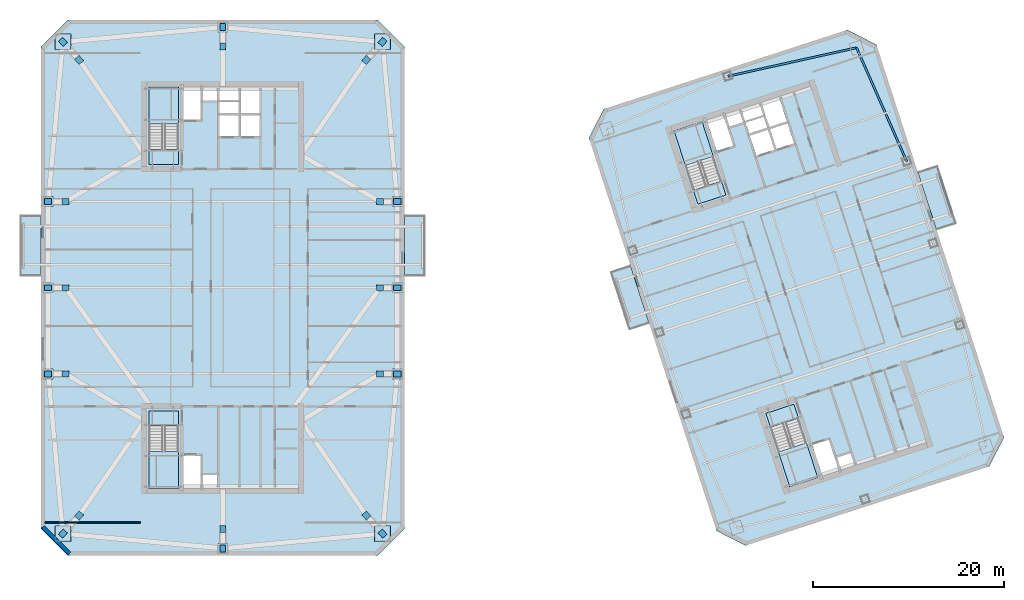
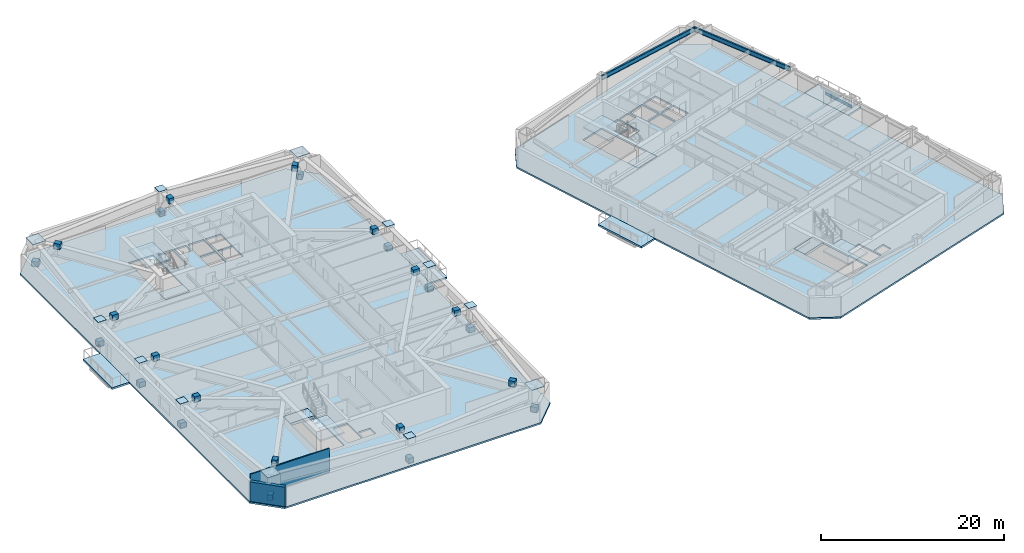
# One storey, part 5 of 17: 36 plates, 14 slabs, 3 beams, 2 walls, 4 elements without a shape of their own.
"""IFC4 building model written with IfcOpenShell, lengths in metres."""

import ifcopenshell
import ifcopenshell.guid

model = None  # the IFC model being written
_history = None  # IfcOwnerHistory: only IFC2X3 demands one
_inside = {}  # id of a spatial element -> (the spatial element, [elements in it])
_under = {}  # id of a project, library or spatial element -> (it, [spatial elements below it])
_declared = {}  # id of a project -> (the project, [libraries it declares])
_typed = {}  # id of a type object -> (the type object, [elements of that type])
_made_of = {}  # id of a material, layer set ... -> (it, [elements and type objects made of it])


def new_model(schema):
    """Start an empty IFC model of exactly this schema.

    Asked for "IFC4X3", IfcOpenShell would pick the latest addendum, in which some entities
    have other attributes; the version numbers below select the first issue.
    IFC2X3 requires an IfcOwnerHistory on every rooted entity: one is made here for all.
    """
    global model, _history
    if schema == "IFC4X3":
        model = ifcopenshell.file(schema_version=(4, 3, 0, 0))
    else:
        model = ifcopenshell.file(schema=schema)
    _inside.clear()
    _under.clear()
    _declared.clear()
    _typed.clear()
    _made_of.clear()
    _history = None
    if model.schema == "IFC2X3":
        org = make("IfcOrganization", Name="unknown")
        user = make(
            "IfcPersonAndOrganization",
            ThePerson=make("IfcPerson", FamilyName="unknown"),
            TheOrganization=org,
        )
        app = make(
            "IfcApplication",
            ApplicationDeveloper=org,
            Version="unknown",
            ApplicationFullName="unknown",
            ApplicationIdentifier="unknown",
        )
        _history = make(
            "IfcOwnerHistory",
            OwningUser=user,
            OwningApplication=app,
            ChangeAction="ADDED",
            CreationDate=0,
        )
    return model


def make(cls, **values):
    """One entity of the class cls with the attributes given. An attribute that is None is left unset."""
    return model.create_entity(
        cls, **{name: value for name, value in values.items() if value is not None}
    )


def rooted(cls, **values):
    """An entity with a GlobalId (a new one), such as an element, a storey or a relation."""
    return make(cls, GlobalId=ifcopenshell.guid.new(), OwnerHistory=_history, **values)


def si_unit(unit_type, name, prefix=None):
    """IfcSIUnit, for example si_unit("LENGTHUNIT", "METRE", prefix="MILLI")."""
    return make("IfcSIUnit", UnitType=unit_type, Prefix=prefix, Name=name)


def assignment(units):
    """IfcUnitAssignment: the units of a project."""
    return None if units is None else make("IfcUnitAssignment", Units=units)


def point(xyz):
    """IfcCartesianPoint."""
    return None if xyz is None else make("IfcCartesianPoint", Coordinates=xyz)


def direction(xyz):
    """IfcDirection."""
    return None if xyz is None else make("IfcDirection", DirectionRatios=xyz)


def frame(location, z_axis=None, x_axis=None):
    """IfcAxis2Placement3D, a coordinate frame: its origin and axes. An axis left out is left unset."""
    return make(
        "IfcAxis2Placement3D",
        Location=point(location),
        Axis=direction(z_axis),
        RefDirection=direction(x_axis),
    )


def frame_2d(location, x_axis=None):
    """IfcAxis2Placement2D, a coordinate frame in the plane: its origin and x axis."""
    return make(
        "IfcAxis2Placement2D", Location=point(location), RefDirection=direction(x_axis)
    )


def origin():
    """The frame at (0, 0, 0) with its axes left unset."""
    return frame((0.0, 0.0, 0.0))


def origin_2d():
    """The frame at (0, 0) in the plane with its x axis left unset."""
    return frame_2d((0.0, 0.0))


def place(relative_to, where):
    """IfcLocalPlacement: puts the frame where relative to a parent placement (None: the world)."""
    return make(
        "IfcLocalPlacement", PlacementRelTo=relative_to, RelativePlacement=where
    )


def context(
    kind, dimensions, precision=None, world=None, true_north=None, identifier=None
):
    """IfcGeometricRepresentationContext, for example the 3D "Model" context."""
    return make(
        "IfcGeometricRepresentationContext",
        ContextIdentifier=identifier,
        ContextType=kind,
        CoordinateSpaceDimension=dimensions,
        Precision=precision,
        WorldCoordinateSystem=world,
        TrueNorth=true_north,
    )


def subcontext(parent, identifier, kind, view, scale=None):
    """IfcGeometricRepresentationSubContext, for example "Body" below "Model"."""
    return make(
        "IfcGeometricRepresentationSubContext",
        ContextIdentifier=identifier,
        ContextType=kind,
        ParentContext=parent,
        TargetScale=scale,
        TargetView=view,
    )


def project(units=None, contexts=None):
    """IfcProject with its units and contexts."""
    return rooted(
        "IfcProject",
        Name="project",
        RepresentationContexts=contexts,
        UnitsInContext=assignment(units),
    )


def spatial(cls, under=None, at=None, **own):
    """A site, building, storey or space (cls), placed at a placement, below another one or the project."""
    s = rooted(cls, ObjectPlacement=at, **own)
    if under is not None:
        _under.setdefault(under.id(), (under, []))[1].append(s)
    return s


def polyline(points):
    """IfcPolyline through the points."""
    return make("IfcPolyline", Points=[point(p) for p in points])


def profile(cls, at=None, kind="AREA", **sizes):
    """A parametric profile (cls). Its sizes go by their IFC names, for example OverallWidth=200.0."""
    return make(cls, ProfileType=kind, Position=at, **sizes)


def rectangle(**sizes):
    """IfcRectangleProfileDef."""
    return profile("IfcRectangleProfileDef", **sizes)


def i_section(**sizes):
    """IfcIShapeProfileDef."""
    return profile("IfcIShapeProfileDef", **sizes)


def outline(outer, holes=None, kind="AREA"):
    """IfcArbitraryClosedProfileDef: a profile drawn as a closed curve; with holes, ...WithVoids."""
    if holes is None:
        return make("IfcArbitraryClosedProfileDef", ProfileType=kind, OuterCurve=outer)
    return make(
        "IfcArbitraryProfileDefWithVoids",
        ProfileType=kind,
        OuterCurve=outer,
        InnerCurves=holes,
    )


def extrude(swept, where, along, depth):
    """IfcExtrudedAreaSolid: the profile swept, set in the frame where, extruded along a direction by depth."""
    return make(
        "IfcExtrudedAreaSolid",
        SweptArea=swept,
        Position=where,
        ExtrudedDirection=direction(along),
        Depth=depth,
    )


def shape(context_of_items, identifier, shape_type, items):
    """IfcShapeRepresentation: the items that make up one representation, for example the "Body"."""
    return make(
        "IfcShapeRepresentation",
        ContextOfItems=context_of_items,
        RepresentationIdentifier=identifier,
        RepresentationType=shape_type,
        Items=items,
    )


def material(Name=None, Category=None):
    """IfcMaterial."""
    return make("IfcMaterial", Name=Name, Category=Category)


def layer(
    of_material, thickness, ventilated=None, Name=None, Category=None, Priority=None
):
    """IfcMaterialLayer: one layer of a wall or slab, of a material (None: an air gap)."""
    return make(
        "IfcMaterialLayer",
        Material=of_material,
        LayerThickness=thickness,
        IsVentilated=ventilated,
        Name=Name,
        Category=Category,
        Priority=Priority,
    )


def layer_set(layers, Name=None):
    """IfcMaterialLayerSet."""
    return make("IfcMaterialLayerSet", MaterialLayers=layers, LayerSetName=Name)


def material_profile(
    of_material, cross_section, Name=None, Category=None, Priority=None
):
    """IfcMaterialProfile: a cross section and its material."""
    return make(
        "IfcMaterialProfile",
        Name=Name,
        Material=of_material,
        Profile=cross_section,
        Priority=Priority,
        Category=Category,
    )


def profile_set(profiles, Name=None, composite=None):
    """IfcMaterialProfileSet."""
    return make(
        "IfcMaterialProfileSet",
        Name=Name,
        MaterialProfiles=profiles,
        CompositeProfile=composite,
    )


def made_of(thing, what):
    """Note that an element or type object is made of a material, layer set ...; save() writes the relation."""
    if what is not None:
        _made_of.setdefault(what.id(), (what, []))[1].append(thing)
    return thing


def type_object(cls, material=None, **own):
    """A type object (cls), such as IfcWallType, which elements share."""
    return made_of(rooted(cls, **own), material)


def element(
    cls,
    number,
    at=None,
    inside=None,
    cuts=None,
    type_object=None,
    material=None,
    context=None,
    identifier="Body",
    shape_type=None,
    held_by="IfcProductDefinitionShape",
    body=None,
    shapes=None,
    **own,
):
    """One element of the class cls, such as IfcWall. Its Tag is "e" and its number.

    at: its placement. inside: the storey or other place that contains it. cuts: it is an
    opening in that element (IfcRelVoidsElement). A single representation is given by context,
    identifier, shape_type and body (its items); several are given by shapes. held_by: the class
    of the entity that holds the representations. save() writes the other relations.
    """
    e = rooted(cls, Tag="e%d" % number, ObjectPlacement=at, **own)
    if body is not None:
        shapes = [shape(context, identifier, shape_type, body)]
    if shapes is not None:
        e.Representation = make(held_by, Representations=shapes)
    if inside is not None:
        _inside.setdefault(inside.id(), (inside, []))[1].append(e)
    if cuts is not None:
        rooted(
            "IfcRelVoidsElement", RelatingBuildingElement=cuts, RelatedOpeningElement=e
        )
    if type_object is not None:
        _typed.setdefault(type_object.id(), (type_object, []))[1].append(e)
    return made_of(e, material)


def aggregate(whole, parts):
    """IfcRelAggregates: a whole, such as a stair, and the parts it consists of."""
    return rooted("IfcRelAggregates", RelatingObject=whole, RelatedObjects=parts)


def save(model, path):
    """Write the relations noted so far, then the file.

    IfcRelAggregates (storeys below a building ...), IfcRelContainedInSpatialStructure (elements
    in a storey), IfcRelDefinesByType, IfcRelAssociatesMaterial and IfcRelDeclares: one each for
    every whole, place, type object, material and project.
    """
    for whole, parts in _under.values():
        aggregate(whole, parts)
    for where, things in _inside.values():
        rooted(
            "IfcRelContainedInSpatialStructure",
            RelatedElements=things,
            RelatingStructure=where,
        )
    for kind, things in _typed.values():
        rooted("IfcRelDefinesByType", RelatedObjects=things, RelatingType=kind)
    for what, things in _made_of.values():
        rooted("IfcRelAssociatesMaterial", RelatedObjects=things, RelatingMaterial=what)
    for by, libraries in _declared.values():
        rooted("IfcRelDeclares", RelatingContext=by, RelatedDefinitions=libraries)
    model.write(path)


model = new_model("IFC4")

# Units and contexts
model_context = context("Model", 3, precision=1e-05, world=origin(), true_north=direction((0.0, 1.0)))
body_context = subcontext(model_context, "Body", "Model", "MODEL_VIEW")
ifc_project = project(units=[si_unit("LENGTHUNIT", "METRE"), si_unit("AREAUNIT", "SQUARE_METRE"), si_unit("VOLUMEUNIT", "CUBIC_METRE"), si_unit("PLANEANGLEUNIT", "RADIAN"), si_unit("MASSUNIT", "GRAM", prefix="KILO")], contexts=[model_context])

# Site, building, storey
site_placement = place(None, origin())
site = spatial("IfcSite", under=ifc_project, at=site_placement, CompositionType="ELEMENT")
building_placement = place(site_placement, origin())
building = spatial("IfcBuilding", under=site, at=building_placement, Name="Qiaolan Cultural Towers", CompositionType="ELEMENT")
storey_placement = place(building_placement, frame((0.0, 0.0, 156.39990234375)))
storey = spatial("IfcBuildingStorey", under=building, at=storey_placement, Name="L41", CompositionType="ELEMENT", Elevation=156.39990234375)

# Beams
ifc_material_1 = material(Name="Steel Q355B", Category="steel")
ifc_material_profile_1 = material_profile(ifc_material_1, i_section(OverallWidth=0.175048828125, OverallDepth=0.35009765625, WebThickness=0.007080078125, FlangeThickness=0.010986328125, at=origin_2d()), Name="HN350x175x7x11")
ifc_profile_set_1 = profile_set([ifc_material_profile_1], Name="Steel Q355B")
beam_type_1 = type_object("IfcBeamType", Name="BM-JST-HN350x175x7x11", PredefinedType="JOIST", material=ifc_profile_set_1)
beam_1_placement = place(storey_placement, frame((106.234619140625, 41.798583984375, -0.52392578125), z_axis=(-0.309022586479, 0.951054699292, 0.0), x_axis=(-0.951054699292, -0.309022586479, 0.0)))
element("IfcBeam", 1, at=beam_1_placement, inside=storey, type_object=beam_type_1, Name="L41 T2 Tree Balcony Outer Edge Beam", PredefinedType="JOIST", context=body_context, shape_type="SweptSolid", body=[
    extrude(i_section(OverallWidth=0.175048828125, OverallDepth=0.35009765625, WebThickness=0.007080078125, FlangeThickness=0.010986328125, at=origin_2d()), origin(), (0.0, 0.0, 1.0), 4.0),
])
ifc_material_2 = material(Name="Steel Q355B", Category="steel")
ifc_material_profile_2 = material_profile(ifc_material_2, i_section(OverallWidth=0.199951171875, OverallDepth=0.60009765625, WebThickness=0.010986328125, FlangeThickness=0.01708984375, at=origin_2d()), Name="HN600x200x11x17")
ifc_profile_set_2 = profile_set([ifc_material_profile_2], Name="Steel Q355B")
beam_type_2 = type_object("IfcBeamType", Name="BM-SPD-HN600x200x11x17", PredefinedType="SPANDREL", material=ifc_profile_set_2)
beam_2_placement = place(storey_placement, frame((101.5322265625, 47.210205078125, 2.89013671875), z_axis=(-0.404011070002, 0.914754095545, 0.0), x_axis=(-0.914754095545, -0.404011070002, 0.0)))
element("IfcBeam", 2, at=beam_2_placement, inside=storey, type_object=beam_type_2, Name="L41 T2 Perimeter Spandrel Beam 6", PredefinedType="SPANDREL", context=body_context, shape_type="SweptSolid", body=[
    extrude(i_section(OverallWidth=0.199951171875, OverallDepth=0.60009765625, WebThickness=0.010986328125, FlangeThickness=0.01708984375, at=origin_2d()), origin(), (0.0, 0.0, 1.0), 12.9970703125),
])
beam_3_placement = place(storey_placement, frame((96.28125, 59.099365234375, 2.89013671875), z_axis=(-0.976265293399, -0.216578108094, 0.0), x_axis=(0.216578108094, -0.976265293399, 0.0)))
element("IfcBeam", 3, at=beam_3_placement, inside=storey, type_object=beam_type_2, Name="L41 T2 Perimeter Spandrel Beam 7", PredefinedType="SPANDREL", context=body_context, shape_type="SweptSolid", body=[
    extrude(i_section(OverallWidth=0.199951171875, OverallDepth=0.60009765625, WebThickness=0.010986328125, FlangeThickness=0.01708984375, at=origin_2d()), origin(), (0.0, 0.0, 1.0), 13.793212890625),
])

# Plates
ifc_material_3 = material(Name="Steel Q355B", Category="steel")
ifc_layer_1 = layer(ifc_material_3, 0.035888671875)
ifc_layer_set_1 = layer_set([ifc_layer_1], Name="Steel Q355B")
plate_type_1 = type_object("IfcPlateType", Name="PL-CONN-36", PredefinedType="USERDEFINED", material=ifc_layer_set_1)
for number, where, z_axis, x_axis, name in (
    (4, (13.2900390625, 8.2900390625, -0.06982421875), (0.0, 0.0, 1.0), (0.666564242532, 0.745447590765, 0.0), "L41 Brace End Connection Gusset Plate GP-02-0124"),
    (5, (14.97998046875, 10.179931640625, 2.85986328125), (0.0, 0.0, 1.0), (0.666564242532, 0.745447590765, 0.0), "L41 Brace End Connection Gusset Plate GP-02-0125"),
    (6, (46.7099609375, 8.2900390625, -0.06982421875), (0.0, 0.0, 1.0), (-0.666564242532, 0.745447590765, 0.0), "L41 Brace End Connection Gusset Plate GP-02-0126"),
    (7, (45.02001953125, 10.179931640625, 2.85986328125), (0.0, 0.0, 1.0), (-0.666564242532, 0.745447590765, 0.0), "L41 Brace End Connection Gusset Plate GP-02-0127"),
    (8, (46.7099609375, 59.7099609375, -0.06982421875), (0.0, 0.0, 1.0), (0.666564242532, 0.745447590765, 0.0), "L41 Brace End Connection Gusset Plate GP-02-0128"),
    (9, (45.02001953125, 57.820068359375, 2.85986328125), (0.0, 0.0, 1.0), (0.666564242532, 0.745447590765, 0.0), "L41 Brace End Connection Gusset Plate GP-02-0129"),
    (10, (13.2900390625, 59.7099609375, -0.06982421875), (0.0, 0.0, 1.0), (-0.666564242532, 0.745447590765, 0.0), "L41 Brace End Connection Gusset Plate GP-02-0130"),
    (11, (14.97998046875, 57.820068359375, 2.85986328125), (0.0, 0.0, 1.0), (-0.666564242532, 0.745447590765, 0.0), "L41 Brace End Connection Gusset Plate GP-02-0131"),
    (12, (11.75, 25.0, -0.06982421875), (0.0, 0.0, 1.0), (1.0, 0.0, 0.0), "L41 Brace End Connection Gusset Plate GP-02-0132"),
    (13, (13.550048828125, 25.0, 2.85986328125), (0.0, 0.0, 1.0), (1.0, 0.0, 0.0), "L41 Brace End Connection Gusset Plate GP-02-0133"),
    (14, (11.75, 34.0, -0.06982421875), (0.0, 0.0, 1.0), (1.0, 0.0, 0.0), "L41 Brace End Connection Gusset Plate GP-02-0134"),
    (15, (13.550048828125, 34.0, 2.85986328125), (0.0, 0.0, 1.0), (1.0, 0.0, 0.0), "L41 Brace End Connection Gusset Plate GP-02-0135"),
    (16, (11.75, 43.0, -0.06982421875), (0.0, 0.0, 1.0), (1.0, 0.0, 0.0), "L41 Brace End Connection Gusset Plate GP-02-0136"),
    (17, (13.550048828125, 43.0, 2.85986328125), (0.0, 0.0, 1.0), (1.0, 0.0, 0.0), "L41 Brace End Connection Gusset Plate GP-02-0137"),
    (18, (48.25, 25.0, -0.06982421875), (0.0, 0.0, 1.0), (1.0, 0.0, 0.0), "L41 Brace End Connection Gusset Plate GP-02-0138"),
    (19, (46.449951171875, 25.0, 2.85986328125), (0.0, 0.0, 1.0), (1.0, 0.0, 0.0), "L41 Brace End Connection Gusset Plate GP-02-0139"),
    (20, (48.25, 34.0, -0.06982421875), (0.0, 0.0, 1.0), (1.0, 0.0, 0.0), "L41 Brace End Connection Gusset Plate GP-02-0140"),
    (21, (46.449951171875, 34.0, 2.85986328125), (0.0, 0.0, 1.0), (1.0, 0.0, 0.0), "L41 Brace End Connection Gusset Plate GP-02-0141"),
    (22, (48.25, 43.0, -0.06982421875), (0.0, 0.0, 1.0), (1.0, 0.0, 0.0), "L41 Brace End Connection Gusset Plate GP-02-0142"),
    (23, (46.449951171875, 43.0, 2.85986328125), (0.0, 0.0, 1.0), (1.0, 0.0, 0.0), "L41 Brace End Connection Gusset Plate GP-02-0143"),
    (24, (30.0, 6.75, -0.06982421875), (0.0, 0.0, 1.0), (0.0, 1.0, 0.0), "L41 Brace End Connection Gusset Plate GP-02-0144"),
    (25, (30.0, 8.75, 2.85986328125), (0.0, 0.0, 1.0), (0.0, 1.0, 0.0), "L41 Brace End Connection Gusset Plate GP-02-0145"),
    (26, (30.0, 61.25, -0.06982421875), (0.0, 0.0, 1.0), (0.0, 1.0, 0.0), "L41 Brace End Connection Gusset Plate GP-02-0146"),
    (27, (30.0, 59.25, 2.85986328125), (0.0, 0.0, 1.0), (0.0, 1.0, 0.0), "L41 Brace End Connection Gusset Plate GP-02-0147"),
):
    element("IfcPlate", number, at=place(storey_placement, frame(where, z_axis=z_axis, x_axis=x_axis)), inside=storey, type_object=plate_type_1, Name=name, ObjectType="GUSSET_PLATE", PredefinedType="USERDEFINED", context=body_context, shape_type="SweptSolid", body=[
        extrude(rectangle(XDim=0.739990234375, YDim=0.6201171875, at=origin_2d()), origin(), (0.0, 0.0, 1.0), 0.739990234375),
    ])
ifc_material_4 = material(Name="Steel Q355B", Category="steel")
ifc_layer_2 = layer(ifc_material_4, 0.030029296875)
ifc_layer_set_2 = layer_set([ifc_layer_2], Name="Steel Q355B")
plate_type_2 = type_object("IfcPlateType", Name="PL-ENDCAP-30", PredefinedType="USERDEFINED", material=ifc_layer_set_2)
for number, where, z_axis, x_axis, name in (
    (28, (13.2900390625, 8.2900390625, 3.451171875), (0.0, 0.0, 1.0), (1.0, 0.0, 0.0), "Tower Box Column Transition Seal Cap Plate CP-01"),
    (29, (46.7099609375, 8.2900390625, 3.451171875), (0.0, 0.0, 1.0), (1.0, 0.0, 0.0), "Tower Box Column Transition Seal Cap Plate CP-01"),
    (30, (46.7099609375, 59.7099609375, 3.451171875), (0.0, 0.0, 1.0), (1.0, 0.0, 0.0), "Tower Box Column Transition Seal Cap Plate CP-01"),
    (31, (13.2900390625, 59.7099609375, 3.451171875), (0.0, 0.0, 1.0), (1.0, 0.0, 0.0), "Tower Box Column Transition Seal Cap Plate CP-01"),
):
    element("IfcPlate", number, at=place(storey_placement, frame(where, z_axis=z_axis, x_axis=x_axis)), inside=storey, type_object=plate_type_2, Name=name, ObjectType="BASE_PLATE", PredefinedType="USERDEFINED", context=body_context, shape_type="SweptSolid", body=[
        extrude(rectangle(XDim=1.639892578125, YDim=1.639892578125, at=origin_2d()), origin(), (0.0, 0.0, 1.0), 0.030029296875),
    ])
for number, where, z_axis, x_axis, name in (
    (32, (11.75, 25.0, 3.451171875), (0.0, 0.0, 1.0), (1.0, 0.0, 0.0), "Tower Box Column Transition Seal Cap Plate CP-01"),
    (33, (11.75, 34.0, 3.451171875), (0.0, 0.0, 1.0), (1.0, 0.0, 0.0), "Tower Box Column Transition Seal Cap Plate CP-01"),
    (34, (11.75, 43.0, 3.451171875), (0.0, 0.0, 1.0), (1.0, 0.0, 0.0), "Tower Box Column Transition Seal Cap Plate CP-01"),
    (35, (48.25, 25.0, 3.451171875), (0.0, 0.0, 1.0), (1.0, 0.0, 0.0), "Tower Box Column Transition Seal Cap Plate CP-01"),
    (36, (48.25, 34.0, 3.451171875), (0.0, 0.0, 1.0), (1.0, 0.0, 0.0), "Tower Box Column Transition Seal Cap Plate CP-01"),
    (37, (48.25, 43.0, 3.451171875), (0.0, 0.0, 1.0), (1.0, 0.0, 0.0), "Tower Box Column Transition Seal Cap Plate CP-01"),
    (38, (30.0, 6.75, 3.451171875), (0.0, 0.0, 1.0), (1.0, 0.0, 0.0), "Tower Box Column Transition Seal Cap Plate CP-01"),
    (39, (30.0, 61.25, 3.451171875), (0.0, 0.0, 1.0), (1.0, 0.0, 0.0), "Tower Box Column Transition Seal Cap Plate CP-01"),
):
    element("IfcPlate", number, at=place(storey_placement, frame(where, z_axis=z_axis, x_axis=x_axis)), inside=storey, type_object=plate_type_2, Name=name, ObjectType="BASE_PLATE", PredefinedType="USERDEFINED", context=body_context, shape_type="SweptSolid", body=[
        extrude(rectangle(XDim=1.0400390625, YDim=1.0400390625, at=origin_2d()), origin(), (0.0, 0.0, 1.0), 0.030029296875),
    ])

# Slabs
ifc_material_5 = material(Name="Concrete C45", Category="concrete")
ifc_layer_3 = layer(ifc_material_5, 0.239990234375)
ifc_layer_set_3 = layer_set([ifc_layer_3], Name="Concrete C45")
slab_type_1 = type_object("IfcSlabType", Name="SL-BAL-240", PredefinedType="FLOOR", material=ifc_layer_set_3)
slab_1_placement = place(storey_placement, frame((0.0, 0.0, -0.239990234375)))
element("IfcSlab", 40, at=slab_1_placement, inside=storey, type_object=slab_type_1, Name="L41 T1 Planted Tree Balcony W", PredefinedType="FLOOR", context=body_context, shape_type="SweptSolid", body=[
    extrude(outline(polyline([(8.800048828125, 35.199951171875), (11.0, 35.199951171875), (11.0, 41.60009765625), (8.800048828125, 41.60009765625), (8.800048828125, 35.199951171875)])), origin(), (0.0, 0.0, 1.0), 0.239990234375),
])
slab_2_placement = place(storey_placement, frame((0.0, 0.0, -0.239990234375)))
element("IfcSlab", 41, at=slab_2_placement, inside=storey, type_object=slab_type_1, Name="L41 T1 Planted Tree Balcony E", PredefinedType="FLOOR", context=body_context, shape_type="SweptSolid", body=[
    extrude(outline(polyline([(49.0, 35.199951171875), (51.199951171875, 35.199951171875), (51.199951171875, 41.60009765625), (49.0, 41.60009765625), (49.0, 35.199951171875)])), origin(), (0.0, 0.0, 1.0), 0.239990234375),
])
slab_3_placement = place(storey_placement, frame((0.0, 0.0, -0.239990234375)))
element("IfcSlab", 42, at=slab_3_placement, inside=storey, type_object=slab_type_1, Name="L41 T2 Planted Tree Balcony W", PredefinedType="FLOOR", context=body_context, shape_type="SweptSolid", body=[
    extrude(outline(polyline([(72.51025390625, 29.578857421875), (74.6025390625, 30.2587890625), (72.624755859375, 36.345458984375), (70.532470703125, 35.665771484375), (72.51025390625, 29.578857421875)])), origin(), (0.0, 0.0, 1.0), 0.239990234375),
])
slab_4_placement = place(storey_placement, frame((0.0, 0.0, -0.239990234375)))
element("IfcSlab", 43, at=slab_4_placement, inside=storey, type_object=slab_type_1, Name="L41 T2 Planted Tree Balcony E", PredefinedType="FLOOR", context=body_context, shape_type="SweptSolid", body=[
    extrude(outline(polyline([(104.65576171875, 40.023681640625), (106.748291015625, 40.70361328125), (104.7705078125, 46.790283203125), (102.67822265625, 46.110595703125), (104.65576171875, 40.023681640625)])), origin(), (0.0, 0.0, 1.0), 0.239990234375),
])

# Stair, slab
ifc_material_6 = material(Name="Concrete C45", Category="concrete")
stair_type = type_object("IfcStairType", Name="STR-CORE-1500", PredefinedType="HALF_TURN_STAIR", material=ifc_material_6)
stair_1_placement = place(storey_placement, origin())
stair_1 = element("IfcStair", 44, at=stair_1_placement, inside=storey, type_object=stair_type, Name="L41 Smokeproof Exit Stair ST-W1", PredefinedType="HALF_TURN_STAIR")
ifc_material_7 = material(Name="Concrete C45", Category="concrete")
ifc_layer_4 = layer(ifc_material_7, 0.199951171875)
ifc_layer_set_4 = layer_set([ifc_layer_4], Name="Concrete C45")
slab_type_2 = type_object("IfcSlabType", Name="SL-STAIR-LAND", PredefinedType="LANDING", material=ifc_layer_set_4)
slab_5_placement = place(storey_placement, frame((0.0, 0.0, 1.525146484375)))
slab_5 = element("IfcSlab", 45, at=slab_5_placement, type_object=slab_type_2, Name="ST-W1 landing 1", PredefinedType="LANDING", context=body_context, shape_type="SweptSolid", body=[
    extrude(outline(polyline([(22.300048828125, 16.851318359375), (22.300048828125, 13.0), (25.3798828125, 13.0), (25.3798828125, 16.851318359375), (22.300048828125, 16.851318359375)])), origin(), (0.0, 0.0, 1.0), 0.199951171875),
])
aggregate(stair_1, [slab_5])

stair_2_placement = place(storey_placement, origin())
stair_2 = element("IfcStair", 46, at=stair_2_placement, inside=storey, type_object=stair_type, Name="L41 Smokeproof Exit Stair ST-W2", PredefinedType="HALF_TURN_STAIR")
slab_6_placement = place(storey_placement, frame((0.0, 0.0, 1.525146484375)))
slab_6 = element("IfcSlab", 47, at=slab_6_placement, type_object=slab_type_2, Name="ST-W2 landing 1", PredefinedType="LANDING", context=body_context, shape_type="SweptSolid", body=[
    extrude(outline(polyline([(25.3798828125, 51.148681640625), (25.3798828125, 55.0), (22.300048828125, 55.0), (22.300048828125, 51.148681640625), (25.3798828125, 51.148681640625)])), origin(), (0.0, 0.0, 1.0), 0.199951171875),
])
aggregate(stair_2, [slab_6])

stair_3_placement = place(storey_placement, origin())
stair_3 = element("IfcStair", 48, at=stair_3_placement, inside=storey, type_object=stair_type, Name="L41 Smokeproof Exit Stair ST-E1", PredefinedType="HALF_TURN_STAIR")
slab_7_placement = place(storey_placement, frame((0.0, 0.0, 1.525146484375)))
slab_7 = element("IfcSlab", 49, at=slab_7_placement, type_object=slab_type_2, Name="ST-E1 landing 1", PredefinedType="LANDING", context=body_context, shape_type="SweptSolid", body=[
    extrude(outline(polyline([(88.114013671875, 16.828125), (89.30419921875, 13.165283203125), (92.2333984375, 14.116943359375), (91.04345703125, 17.77978515625), (88.114013671875, 16.828125)])), origin(), (0.0, 0.0, 1.0), 0.199951171875),
])
aggregate(stair_3, [slab_7])

stair_4_placement = place(storey_placement, origin())
stair_4 = element("IfcStair", 50, at=stair_4_placement, inside=storey, type_object=stair_type, Name="L41 Smokeproof Exit Stair ST-E2", PredefinedType="HALF_TURN_STAIR")
slab_8_placement = place(storey_placement, frame((0.0, 0.0, 1.525146484375)))
slab_8 = element("IfcSlab", 51, at=slab_8_placement, type_object=slab_type_2, Name="ST-E2 landing 1", PredefinedType="LANDING", context=body_context, shape_type="SweptSolid", body=[
    extrude(outline(polyline([(81.31005859375, 47.735595703125), (80.1201171875, 51.3984375), (77.190673828125, 50.44677734375), (78.380859375, 46.783935546875), (81.31005859375, 47.735595703125)])), origin(), (0.0, 0.0, 1.0), 0.199951171875),
])
aggregate(stair_4, [slab_8])

# Slabs
ifc_material_8 = material(Name="Concrete C40", Category="concrete")
ifc_layer_5 = layer(ifc_material_8, 0.360107421875)
ifc_layer_set_5 = layer_set([ifc_layer_5], Name="Concrete C40")
slab_type_3 = type_object("IfcSlabType", Name="SL-STFLR-360", PredefinedType="LANDING", material=ifc_layer_set_5)
slab_9_placement = place(storey_placement, frame((0.0, 0.0, -0.35986328125)))
element("IfcSlab", 52, at=slab_9_placement, inside=storey, type_object=slab_type_3, Name="L41 ST-W1 Stair Floor Landing Slab", PredefinedType="LANDING", context=body_context, shape_type="SweptSolid", body=[
    extrude(outline(polyline([(22.302001953125, 21.097900390625), (22.302001953125, 19.548583984375), (25.3779296875, 19.548583984375), (25.3779296875, 21.097900390625), (22.302001953125, 21.097900390625)])), origin(), (0.0, 0.0, 1.0), 0.35986328125),
])
slab_10_placement = place(storey_placement, frame((0.0, 0.0, -0.35986328125)))
element("IfcSlab", 53, at=slab_10_placement, inside=storey, type_object=slab_type_3, Name="L41 ST-W2 Stair Floor Landing Slab", PredefinedType="LANDING", context=body_context, shape_type="SweptSolid", body=[
    extrude(outline(polyline([(25.3779296875, 46.902099609375), (25.3779296875, 48.451416015625), (22.302001953125, 48.451416015625), (22.302001953125, 46.902099609375), (25.3779296875, 46.902099609375)])), origin(), (0.0, 0.0, 1.0), 0.35986328125),
])
slab_11_placement = place(storey_placement, frame((0.0, 0.0, -0.35986328125)))
element("IfcSlab", 54, at=slab_11_placement, inside=storey, type_object=slab_type_3, Name="L41 ST-E1 Stair Floor Landing Slab", PredefinedType="LANDING", context=body_context, shape_type="SweptSolid", body=[
    extrude(outline(polyline([(86.8037109375, 20.867431640625), (87.282470703125, 19.39404296875), (90.2080078125, 20.3447265625), (89.729248046875, 21.818115234375), (86.8037109375, 20.867431640625)])), origin(), (0.0, 0.0, 1.0), 0.35986328125),
])
slab_12_placement = place(storey_placement, frame((0.0, 0.0, -0.35986328125)))
element("IfcSlab", 55, at=slab_12_placement, inside=storey, type_object=slab_type_3, Name="L41 ST-E2 Stair Floor Landing Slab", PredefinedType="LANDING", context=body_context, shape_type="SweptSolid", body=[
    extrude(outline(polyline([(82.62060546875, 43.6962890625), (82.141845703125, 45.169677734375), (79.21630859375, 44.21923828125), (79.695068359375, 42.74560546875), (82.62060546875, 43.6962890625)])), origin(), (0.0, 0.0, 1.0), 0.35986328125),
])
ifc_material_9 = material(Name="Concrete C45", Category="concrete")
ifc_layer_6 = layer(ifc_material_9, 0.219970703125)
ifc_layer_set_6 = layer_set([ifc_layer_6], Name="Concrete C45")
slab_type_4 = type_object("IfcSlabType", Name="SL-TYP-220", PredefinedType="FLOOR", material=ifc_layer_set_6)
slab_13_placement = place(storey_placement, frame((0.0, 0.0, -0.219970703125)))
element("IfcSlab", 56, at=slab_13_placement, inside=storey, type_object=slab_type_4, Name="L41 West Tower Floor Slab", PredefinedType="FLOOR", context=body_context, shape_type="SweptSolid", body=[
    extrude(outline(polyline([(13.800048828125, 6.0), (46.199951171875, 6.0), (49.0, 8.800048828125), (49.0, 59.199951171875), (46.199951171875, 62.0), (13.800048828125, 62.0), (11.0, 59.199951171875), (11.0, 8.800048828125), (13.800048828125, 6.0)]), holes=[polyline([(22.300048828125, 21.10009765625), (22.300048828125, 13.0), (25.3798828125, 13.0), (25.3798828125, 21.10009765625), (22.300048828125, 21.10009765625)]), polyline([(25.3798828125, 46.89990234375), (25.3798828125, 55.0), (22.300048828125, 55.0), (22.300048828125, 46.89990234375), (25.3798828125, 46.89990234375)]), polyline([(25.89990234375, 13.199951171875), (27.75, 13.199951171875), (27.75, 16.449951171875), (25.89990234375, 16.449951171875), (25.89990234375, 13.199951171875)]), polyline([(27.93994140625, 13.25), (29.449951171875, 13.25), (29.449951171875, 14.419921875), (27.93994140625, 14.419921875), (27.93994140625, 13.25)]), polyline([(25.89990234375, 51.550048828125), (27.75, 51.550048828125), (27.75, 54.800048828125), (25.89990234375, 54.800048828125), (25.89990234375, 51.550048828125)]), polyline([(27.93994140625, 53.580078125), (29.449951171875, 53.580078125), (29.449951171875, 54.75), (27.93994140625, 54.75), (27.93994140625, 53.580078125)]), polyline([(29.679931640625, 49.820068359375), (31.679931640625, 49.820068359375), (31.679931640625, 52.080078125), (29.679931640625, 52.080078125), (29.679931640625, 49.820068359375)]), polyline([(31.8798828125, 49.820068359375), (33.820068359375, 49.820068359375), (33.820068359375, 52.080078125), (31.8798828125, 52.080078125), (31.8798828125, 49.820068359375)]), polyline([(29.679931640625, 52.27001953125), (31.659912109375, 52.27001953125), (31.659912109375, 54.75), (29.679931640625, 54.75), (29.679931640625, 52.27001953125)]), polyline([(31.8798828125, 52.27001953125), (33.820068359375, 52.27001953125), (33.820068359375, 54.75), (31.8798828125, 54.75), (31.8798828125, 52.27001953125)])]), origin(), (0.0, 0.0, 1.0), 0.219970703125),
])
slab_14_placement = place(storey_placement, frame((0.0, 0.0, -0.219970703125)))
element("IfcSlab", 57, at=slab_14_placement, inside=storey, type_object=slab_type_4, Name="L41 East Tower Floor Slab", PredefinedType="FLOOR", context=body_context, shape_type="SweptSolid", body=[
    extrude(outline(polyline([(84.67236328125, 7.033935546875), (110.16064453125, 15.3154296875), (111.701416015625, 18.339599609375), (98.351806640625, 59.42529296875), (95.32763671875, 60.966064453125), (69.83935546875, 52.6845703125), (68.298583984375, 49.660400390625), (81.648193359375, 8.57470703125), (84.67236328125, 7.033935546875)]), holes=[polyline([(86.80126953125, 20.868896484375), (89.30419921875, 13.165283203125), (92.2333984375, 14.116943359375), (89.73046875, 21.820556640625), (86.80126953125, 20.868896484375)]), polyline([(82.623046875, 43.69482421875), (80.1201171875, 51.3984375), (77.190673828125, 50.44677734375), (79.69384765625, 42.7431640625), (82.623046875, 43.69482421875)]), polyline([(92.666259765625, 14.468017578125), (94.42578125, 15.03955078125), (93.42138671875, 18.130615234375), (91.661865234375, 17.558837890625), (92.666259765625, 14.468017578125)]), polyline([(94.5908203125, 15.14599609375), (96.027099609375, 15.612548828125), (95.66552734375, 16.725341796875), (94.2294921875, 16.258544921875), (94.5908203125, 15.14599609375)]), polyline([(81.6806640625, 48.278076171875), (83.440185546875, 48.849609375), (82.435791015625, 51.940673828125), (80.67626953125, 51.368896484375), (81.6806640625, 48.278076171875)]), polyline([(82.993408203125, 50.839111328125), (84.4296875, 51.3056640625), (84.068115234375, 52.41845703125), (82.632080078125, 51.95166015625), (82.993408203125, 50.839111328125)]), polyline([(85.810302734375, 47.80078125), (87.71240234375, 48.418701171875), (87.013916015625, 50.568115234375), (85.11181640625, 49.9501953125), (85.810302734375, 47.80078125)]), polyline([(87.902587890625, 48.480712890625), (89.74755859375, 49.080078125), (89.04931640625, 51.2294921875), (87.2041015625, 50.6298828125), (87.902587890625, 48.480712890625)]), polyline([(85.05322265625, 50.130859375), (86.936279296875, 50.74267578125), (86.169921875, 53.101318359375), (84.286865234375, 52.489501953125), (85.05322265625, 50.130859375)]), polyline([(87.1455078125, 50.810791015625), (88.990478515625, 51.41015625), (88.22412109375, 53.768798828125), (86.379150390625, 53.169189453125), (87.1455078125, 50.810791015625)])]), origin(), (0.0, 0.0, 1.0), 0.219970703125),
])

# Walls
ifc_material_10 = material(Name="Precast Concrete C50 Honed Stone Pier", Category="masonry")
ifc_layer_7 = layer(ifc_material_10, 0.39990234375)
ifc_layer_set_7 = layer_set([ifc_layer_7], Name="Precast Concrete C50 Honed Stone Pier")
wall_type_1 = type_object("IfcWallType", Name="WL-EXT-PIER-400", PredefinedType="SOLIDWALL", material=ifc_layer_set_7)
wall_1_placement = place(storey_placement, frame((14.0, 6.199951171875, 0.0), z_axis=(0.0, 0.0, 1.0), x_axis=(-0.707106781187, 0.707106781187, 0.0)))
element("IfcWall", 58, at=wall_1_placement, inside=storey, type_object=wall_type_1, Name="L41 West Tower Precast Pier Facade Wall F8", PredefinedType="SOLIDWALL", context=body_context, shape_type="SweptSolid", body=[
    extrude(rectangle(XDim=3.9599609375, YDim=0.39990234375, at=frame_2d((1.97998046875, 0.0))), origin(), (0.0, 0.0, 1.0), 2.610107421875),
])
ifc_material_11 = material(Name="Autoclaved Aerated Concrete Block B06", Category="concrete")
ifc_layer_8 = layer(ifc_material_11, 0.14990234375)
ifc_layer_set_8 = layer_set([ifc_layer_8], Name="Autoclaved Aerated Concrete Block B06")
wall_type_2 = type_object("IfcWallType", Name="WL-PART-150", PredefinedType="PARTITIONING", material=ifc_layer_set_8)
wall_2_placement = place(storey_placement, frame((11.39990234375, 9.449951171875, 0.0), z_axis=(0.0, 0.0, 1.0), x_axis=(1.0, 0.0, 0.0)))
element("IfcWall", 59, at=wall_2_placement, inside=storey, type_object=wall_type_2, Name="L41 T1 Flank Wall FLK-SW", PredefinedType="PARTITIONING", context=body_context, shape_type="SweptSolid", body=[
    extrude(rectangle(XDim=10.0, YDim=0.14990234375, at=frame_2d((5.0, 0.0))), origin(), (0.0, 0.0, 1.0), 3.175048828125),
])

save(model, "model.ifc")
